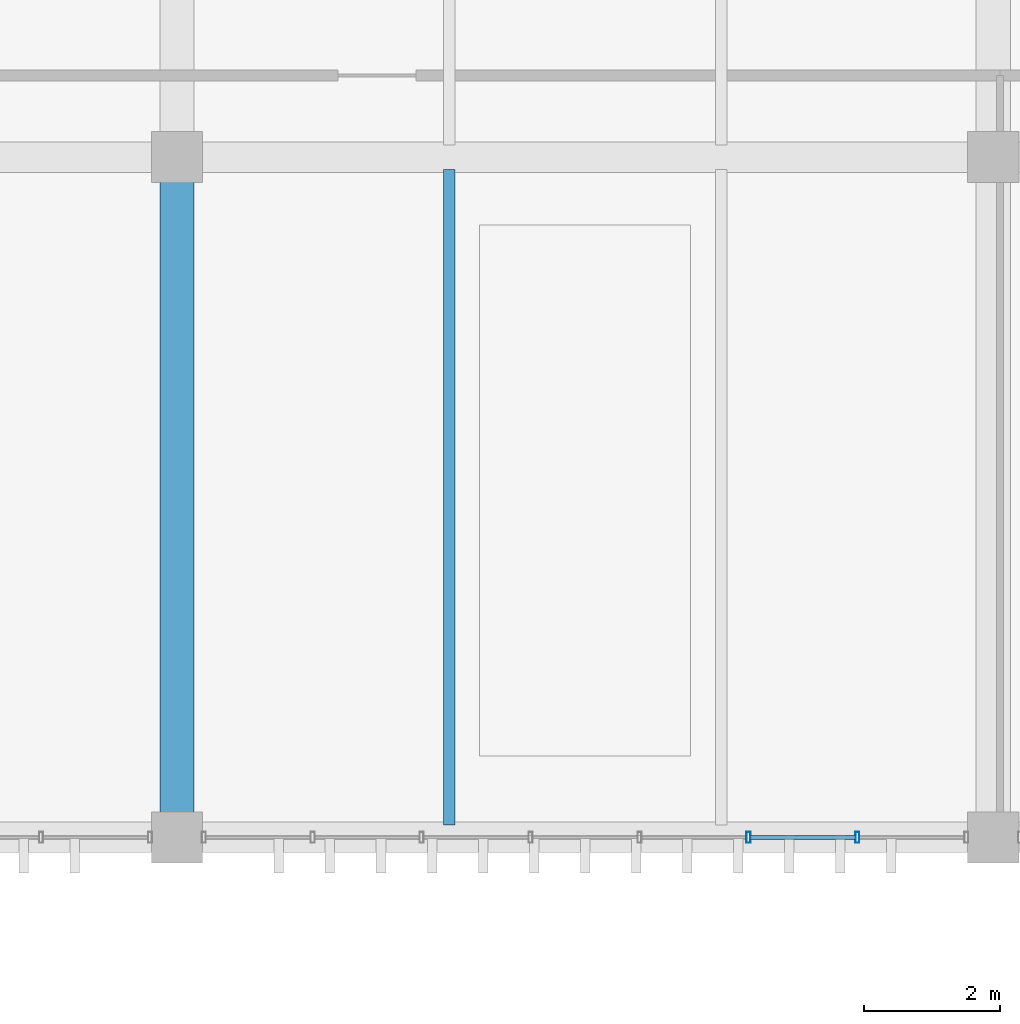
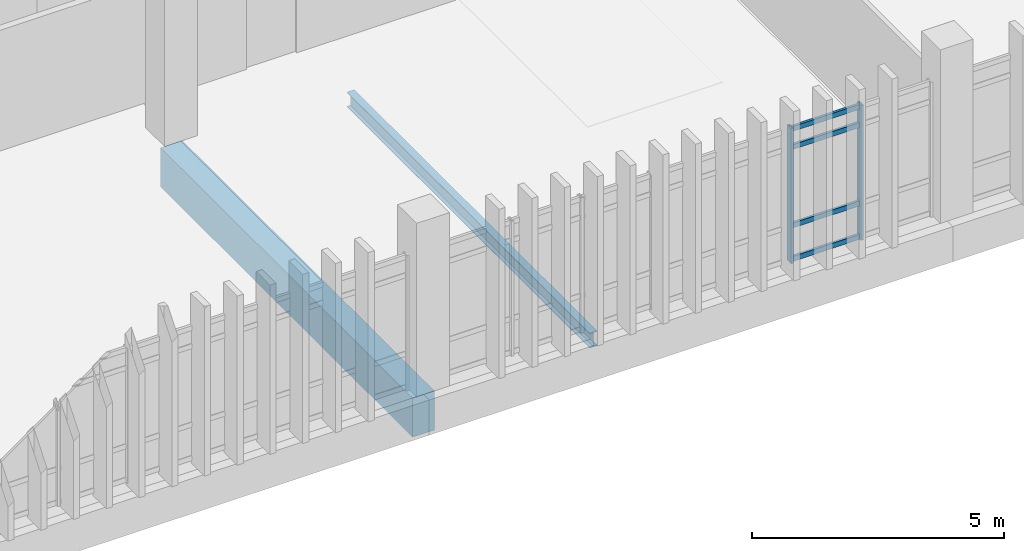
# One storey, part 70 of 161: 6 members, 2 beams, 1 element without a shape of its own.
"""IFC4 building model written with IfcOpenShell, lengths in metres."""

from ifc_helpers import new_model, si_unit, direction, frame, origin, origin_2d, place, context, subcontext, project, spatial, rectangle, hollow_rectangle, i_section, extrude, material, layer, layer_set, material_profile, profile_set, type_object, element, aggregate, save


model = new_model("IFC4")

# Units and contexts
model_context = context("Model", 3, precision=1e-05, world=origin(), true_north=direction((0.0, 1.0)))
body_context = subcontext(model_context, "Body", "Model", "MODEL_VIEW")
ifc_project = project(units=[si_unit("LENGTHUNIT", "METRE"), si_unit("AREAUNIT", "SQUARE_METRE"), si_unit("VOLUMEUNIT", "CUBIC_METRE"), si_unit("PLANEANGLEUNIT", "RADIAN"), si_unit("MASSUNIT", "GRAM", prefix="KILO")], contexts=[model_context])

# Site, building, storey
site_placement = place(None, origin())
site = spatial("IfcSite", under=ifc_project, at=site_placement, CompositionType="ELEMENT")
building_placement = place(site_placement, origin())
building = spatial("IfcBuilding", under=site, at=building_placement, Name="Mersad Railyard Sports Hall", CompositionType="ELEMENT")
storey_placement = place(building_placement, frame((0.0, 0.0, 4.800048828125)))
storey = spatial("IfcBuildingStorey", under=building, at=storey_placement, Name="L01", CompositionType="ELEMENT", Elevation=4.800048828125)

# Curtain wall, members
ifc_material_1 = material(Name="Aluminium 6063-T6", Category="aluminium")
ifc_layer = layer(ifc_material_1, 0.159912109375)
ifc_layer_set = layer_set([ifc_layer], Name="Aluminium 6063-T6")
curtain_wall_type = type_object("IfcCurtainWallType", Name="ARC-CW-CW37", PredefinedType="USERDEFINED", material=ifc_layer_set)
curtain_wall_placement = place(storey_placement, origin())
curtain_wall = element("IfcCurtainWall", 1, at=curtain_wall_placement, inside=storey, type_object=curtain_wall_type, Name="Curtain wall CW37-0105", ObjectType="CURTAIN WALL", PredefinedType="USERDEFINED")
ifc_material_profile_1 = material_profile(ifc_material_1, hollow_rectangle(XDim=0.06005859375, YDim=0.159912109375, WallThickness=0.00390625, at=origin_2d()), Name="AL MULLION 60x160x4")
ifc_profile_set_1 = profile_set([ifc_material_profile_1], Name="Aluminium 6063-T6")
member_type_1 = type_object("IfcMemberType", Name="ARC-CW-MUL01", PredefinedType="MULLION", material=ifc_profile_set_1)
member_1_placement = place(storey_placement, frame((65.003662109375, 85.0, -0.02001953125), z_axis=(0.0, 0.0, 1.0), x_axis=(1.0, 0.0, 0.0)))
member_1 = element("IfcMember", 2, at=member_1_placement, type_object=member_type_1, Name="CW37 Mullion 2", PredefinedType="MULLION", context=body_context, shape_type="SweptSolid", body=[
    extrude(hollow_rectangle(XDim=0.06005859375, YDim=0.159912109375, WallThickness=0.00390625, at=origin_2d()), origin(), (0.0, 0.0, 1.0), 3.27001953125),
])
member_2_placement = place(storey_placement, frame((63.402099609375, 85.0, -0.02001953125), z_axis=(0.0, 0.0, 1.0), x_axis=(1.0, 0.0, 0.0)))
member_2 = element("IfcMember", 3, at=member_2_placement, type_object=member_type_1, Name="CW37 Mullion 3", PredefinedType="MULLION", context=body_context, shape_type="SweptSolid", body=[
    extrude(hollow_rectangle(XDim=0.06005859375, YDim=0.159912109375, WallThickness=0.00390625, at=origin_2d()), origin(), (0.0, 0.0, 1.0), 3.27001953125),
])
ifc_material_profile_2 = material_profile(ifc_material_1, hollow_rectangle(XDim=0.06005859375, YDim=0.1201171875, WallThickness=0.00390625, at=origin_2d()), Name="AL TRANSOM 60x120x4")
ifc_profile_set_2 = profile_set([ifc_material_profile_2], Name="Aluminium 6063-T6")
member_type_2 = type_object("IfcMemberType", Name="ARC-CW-TRN01", PredefinedType="USERDEFINED", material=ifc_profile_set_2)
member_3_placement = place(storey_placement, frame((64.983642578125, 85.0, 0.0400390625), z_axis=(-1.0, 0.0, 0.0), x_axis=(0.0, -1.0, 0.0)))
member_3 = element("IfcMember", 4, at=member_3_placement, type_object=member_type_2, Name="CW37 Transom 1-2", ObjectType="TRANSOM", PredefinedType="USERDEFINED", context=body_context, shape_type="SweptSolid", body=[
    extrude(hollow_rectangle(XDim=0.06005859375, YDim=0.1201171875, WallThickness=0.00390625, at=origin_2d()), origin(), (0.0, 0.0, 1.0), 1.5615234375),
])
member_4_placement = place(storey_placement, frame((64.983642578125, 85.0, 0.849853515625), z_axis=(-1.0, 0.0, 0.0), x_axis=(0.0, -1.0, 0.0)))
member_4 = element("IfcMember", 5, at=member_4_placement, type_object=member_type_2, Name="CW37 Transom 2-2", ObjectType="TRANSOM", PredefinedType="USERDEFINED", context=body_context, shape_type="SweptSolid", body=[
    extrude(hollow_rectangle(XDim=0.06005859375, YDim=0.1201171875, WallThickness=0.00390625, at=origin_2d()), origin(), (0.0, 0.0, 1.0), 1.5615234375),
])
member_5_placement = place(storey_placement, frame((64.983642578125, 85.0, 2.75), z_axis=(-1.0, 0.0, 0.0), x_axis=(0.0, -1.0, 0.0)))
member_5 = element("IfcMember", 6, at=member_5_placement, type_object=member_type_2, Name="CW37 Transom 3-2", ObjectType="TRANSOM", PredefinedType="USERDEFINED", context=body_context, shape_type="SweptSolid", body=[
    extrude(hollow_rectangle(XDim=0.06005859375, YDim=0.1201171875, WallThickness=0.00390625, at=origin_2d()), origin(), (0.0, 0.0, 1.0), 1.5615234375),
])
member_6_placement = place(storey_placement, frame((64.983642578125, 85.0, 3.18994140625), z_axis=(-1.0, 0.0, 0.0), x_axis=(0.0, -1.0, 0.0)))
member_6 = element("IfcMember", 7, at=member_6_placement, type_object=member_type_2, Name="CW37 Transom 4-2", ObjectType="TRANSOM", PredefinedType="USERDEFINED", context=body_context, shape_type="SweptSolid", body=[
    extrude(hollow_rectangle(XDim=0.06005859375, YDim=0.1201171875, WallThickness=0.00390625, at=origin_2d()), origin(), (0.0, 0.0, 1.0), 1.5615234375),
])
aggregate(curtain_wall, [member_1, member_2, member_3, member_4, member_5, member_6])

# Beams
ifc_material_2 = material(Name="Concrete C50/60", Category="concrete")
ifc_material_profile_3 = material_profile(ifc_material_2, rectangle(XDim=0.5, YDim=0.949951171875, at=origin_2d()), Name="RC 500x950")
ifc_profile_set_3 = profile_set([ifc_material_profile_3], Name="Concrete C50/60")
beam_type_1 = type_object("IfcBeamType", Name="STR-BM-B03", PredefinedType="BEAM", material=ifc_profile_set_3)
beam_1_placement = place(storey_placement, frame((55.0, 85.0, -0.775146484375), z_axis=(0.0, 1.0, 0.0), x_axis=(-1.0, 0.0, 0.0)))
element("IfcBeam", 8, at=beam_1_placement, inside=storey, type_object=beam_type_1, Name="Beam B03-0959", PredefinedType="BEAM", context=body_context, shape_type="SweptSolid", body=[
    extrude(rectangle(XDim=0.5, YDim=0.949951171875, at=origin_2d()), origin(), (0.0, 0.0, 1.0), 10.0),
])
ifc_material_3 = material(Name="Steel S355", Category="steel")
ifc_material_profile_4 = material_profile(ifc_material_3, i_section(OverallWidth=0.169921875, OverallDepth=0.360107421875, WebThickness=0.008056640625, FlangeThickness=0.0126953125, at=origin_2d()), Name="IPE 360")
ifc_profile_set_4 = profile_set([ifc_material_profile_4], Name="Steel S355")
beam_type_2 = type_object("IfcBeamType", Name="STR-BM-J03", PredefinedType="JOIST", material=ifc_profile_set_4)
beam_2_placement = place(storey_placement, frame((59.0, 85.179931640625, -0.47998046875), z_axis=(0.0, 1.0, 0.0), x_axis=(-1.0, 0.0, 0.0)))
element("IfcBeam", 9, at=beam_2_placement, inside=storey, type_object=beam_type_2, Name="Beam J03-1012", PredefinedType="JOIST", context=body_context, shape_type="SweptSolid", body=[
    extrude(i_section(OverallWidth=0.169921875, OverallDepth=0.360107421875, WebThickness=0.008056640625, FlangeThickness=0.0126953125, at=origin_2d()), origin(), (0.0, 0.0, 1.0), 9.64013671875),
])

save(model, "model.ifc")
